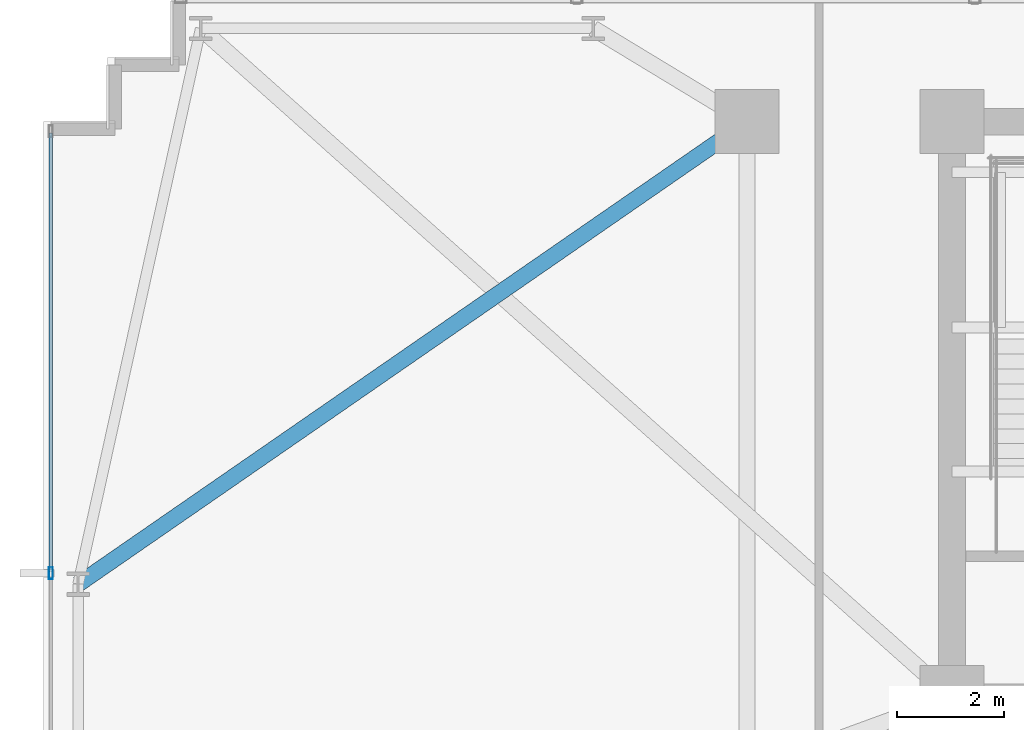
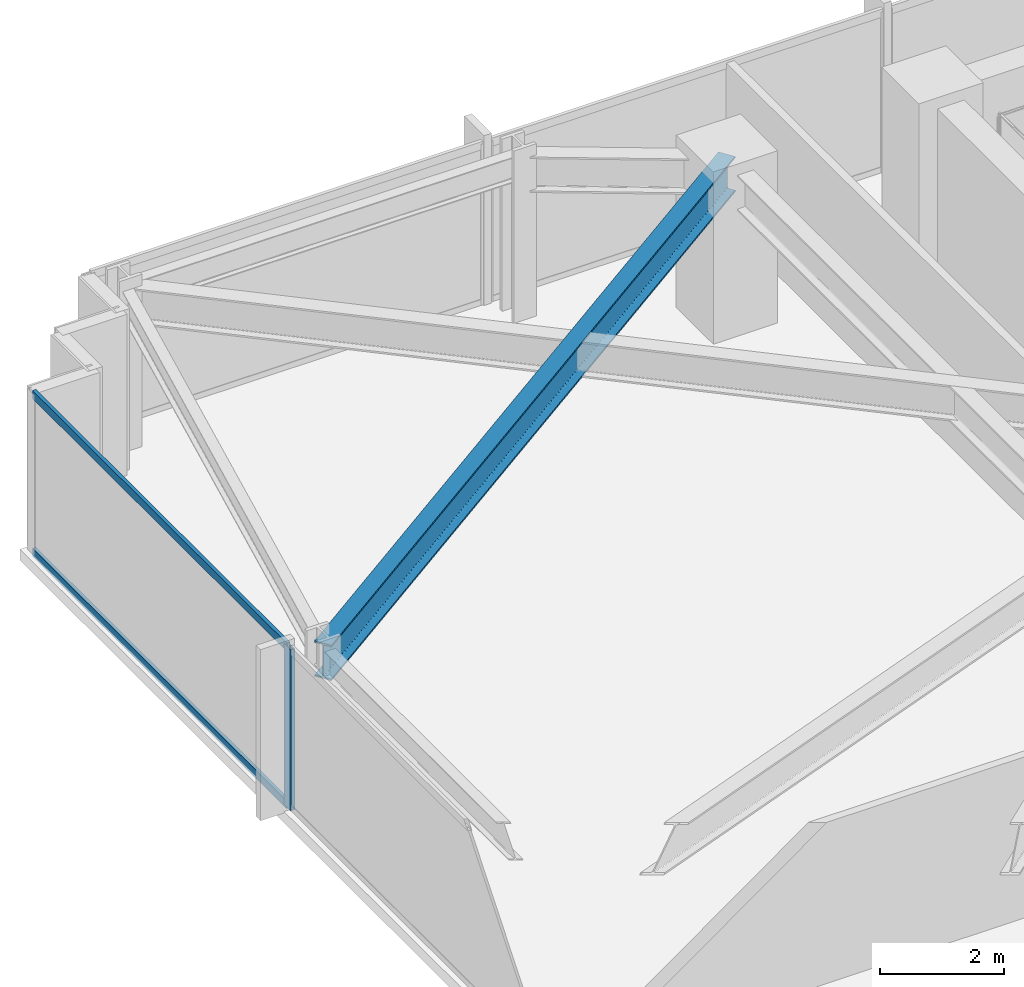
# One storey, part 9 of 33: 3 members, 1 beam, 1 element without a shape of its own.
"""IFC4 building model written with IfcOpenShell, lengths in metres."""

from ifc_helpers import new_model, si_unit, direction, frame, origin, origin_2d, place, context, subcontext, project, spatial, hollow_rectangle, i_section, extrude, material, material_profile, profile_set, type_object, element, aggregate, save


model = new_model("IFC4")

# Units and contexts
model_context = context("Model", 3, precision=1e-05, world=origin(), true_north=direction((0.0, 1.0)))
body_context = subcontext(model_context, "Body", "Model", "MODEL_VIEW")
ifc_project = project(units=[si_unit("LENGTHUNIT", "METRE"), si_unit("AREAUNIT", "SQUARE_METRE"), si_unit("VOLUMEUNIT", "CUBIC_METRE"), si_unit("PLANEANGLEUNIT", "RADIAN"), si_unit("MASSUNIT", "GRAM", prefix="KILO")], contexts=[model_context])

# Site, building, storey
site_placement = place(None, origin())
site = spatial("IfcSite", under=ifc_project, at=site_placement, CompositionType="ELEMENT")
building_placement = place(site_placement, origin())
building = spatial("IfcBuilding", under=site, at=building_placement, Name="Yelkora Congress Tower", CompositionType="ELEMENT")
storey_placement = place(building_placement, frame((0.0, 0.0, 64.39990234375)))
storey = spatial("IfcBuildingStorey", under=building, at=storey_placement, Name="L16", CompositionType="ELEMENT", Elevation=64.39990234375)

# Beam
ifc_material_1 = material(Name="Steel S355J2", Category="steel")
ifc_material_profile_1 = material_profile(ifc_material_1, i_section(OverallWidth=0.300048828125, OverallDepth=0.699951171875, WebThickness=0.01708984375, FlangeThickness=0.031982421875, FilletRadius=0.027099609375, at=origin_2d()), Name="HEB 700")
ifc_profile_set_1 = profile_set([ifc_material_profile_1], Name="Steel S355J2")
beam_type = type_object("IfcBeamType", Name="BM-GIRD-HEB700", PredefinedType="BEAM", material=ifc_profile_set_1)
beam_placement = place(storey_placement, frame((6.64990234375, 37.52490234375, 2.830078125), z_axis=(0.822604454175, 0.568614027238, 0.0), x_axis=(-0.568614027238, 0.822604454175, 0.0)))
element("IfcBeam", 1, at=beam_placement, inside=storey, type_object=beam_type, Name="L16 Primary Frame Girder W03", PredefinedType="BEAM", context=body_context, shape_type="SweptSolid", body=[
    extrude(i_section(OverallWidth=0.300048828125, OverallDepth=0.699951171875, WebThickness=0.01708984375, FlangeThickness=0.031982421875, FilletRadius=0.027099609375, at=origin_2d()), origin(), (0.0, 0.0, 1.0), 15.256591796875),
])

# Curtain wall, members
ifc_material_2 = material(Name="Anodised aluminium and insulated glass", Category="aluminium")
curtain_wall_type = type_object("IfcCurtainWallType", Name="CW-SYS-B1", PredefinedType="NOTDEFINED", material=ifc_material_2)
curtain_wall_placement = place(storey_placement, origin())
curtain_wall = element("IfcCurtainWall", 2, at=curtain_wall_placement, inside=storey, type_object=curtain_wall_type, Name="L16 Unitised Curtain Wall 5", PredefinedType="NOTDEFINED")
ifc_material_3 = material(Name="Anodised aluminium 6063-T6", Category="aluminium")
ifc_material_profile_2 = material_profile(ifc_material_3, hollow_rectangle(XDim=0.074951171875, YDim=0.219970703125, WallThickness=0.0048828125, at=origin_2d()), Name="ALU 75x220x5")
ifc_profile_set_2 = profile_set([ifc_material_profile_2], Name="Anodised aluminium 6063-T6")
member_type_1 = type_object("IfcMemberType", Name="MEM-ML-B1", PredefinedType="MULLION", material=ifc_profile_set_2)
member_1_placement = place(storey_placement, frame((6.139892578125, 37.72998046875, 0.0), z_axis=(0.0, 0.0, 1.0), x_axis=(-1.0, 0.0, 0.0)))
member_1 = element("IfcMember", 3, at=member_1_placement, type_object=member_type_1, Name="CW-B1 mullion 4", PredefinedType="MULLION", context=body_context, shape_type="SweptSolid", body=[
    extrude(hollow_rectangle(XDim=0.074951171875, YDim=0.219970703125, WallThickness=0.0048828125, at=origin_2d()), origin(), (0.0, 0.0, 1.0), 3.18017578125),
])
ifc_material_profile_3 = material_profile(ifc_material_3, hollow_rectangle(XDim=0.06494140625, YDim=0.159912109375, WallThickness=0.00390625, at=origin_2d()), Name="ALU 65x160x4")
ifc_profile_set_3 = profile_set([ifc_material_profile_3], Name="Anodised aluminium 6063-T6")
member_type_2 = type_object("IfcMemberType", Name="MEM-TR-B1", PredefinedType="USERDEFINED", material=ifc_profile_set_3)
member_2_placement = place(storey_placement, frame((6.139892578125, 37.767578125, 0.03271484375), z_axis=(0.0, 1.0, 0.0), x_axis=(-1.0, 0.0, 0.0)))
member_2 = element("IfcMember", 4, at=member_2_placement, type_object=member_type_2, Name="CW-B1 transom 4.1", ObjectType="TRANSOM", PredefinedType="USERDEFINED", context=body_context, shape_type="SweptSolid", body=[
    extrude(hollow_rectangle(XDim=0.06494140625, YDim=0.159912109375, WallThickness=0.00390625, at=origin_2d()), origin(), (0.0, 0.0, 1.0), 8.217529296875),
])
member_3_placement = place(storey_placement, frame((6.139892578125, 37.767578125, 3.147705078125), z_axis=(0.0, 1.0, 0.0), x_axis=(-1.0, 0.0, 0.0)))
member_3 = element("IfcMember", 5, at=member_3_placement, type_object=member_type_2, Name="CW-B1 transom 4.2", ObjectType="TRANSOM", PredefinedType="USERDEFINED", context=body_context, shape_type="SweptSolid", body=[
    extrude(hollow_rectangle(XDim=0.06494140625, YDim=0.159912109375, WallThickness=0.00390625, at=origin_2d()), origin(), (0.0, 0.0, 1.0), 8.217529296875),
])
aggregate(curtain_wall, [member_1, member_2, member_3])

save(model, "model.ifc")
